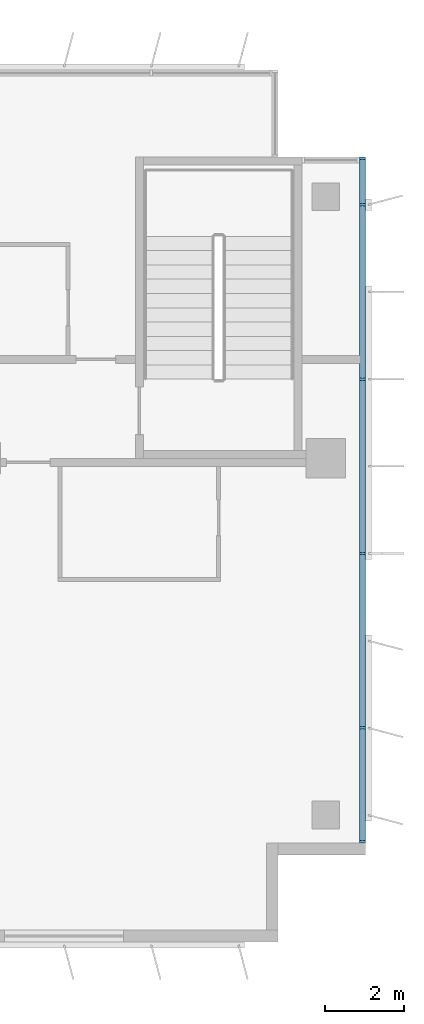
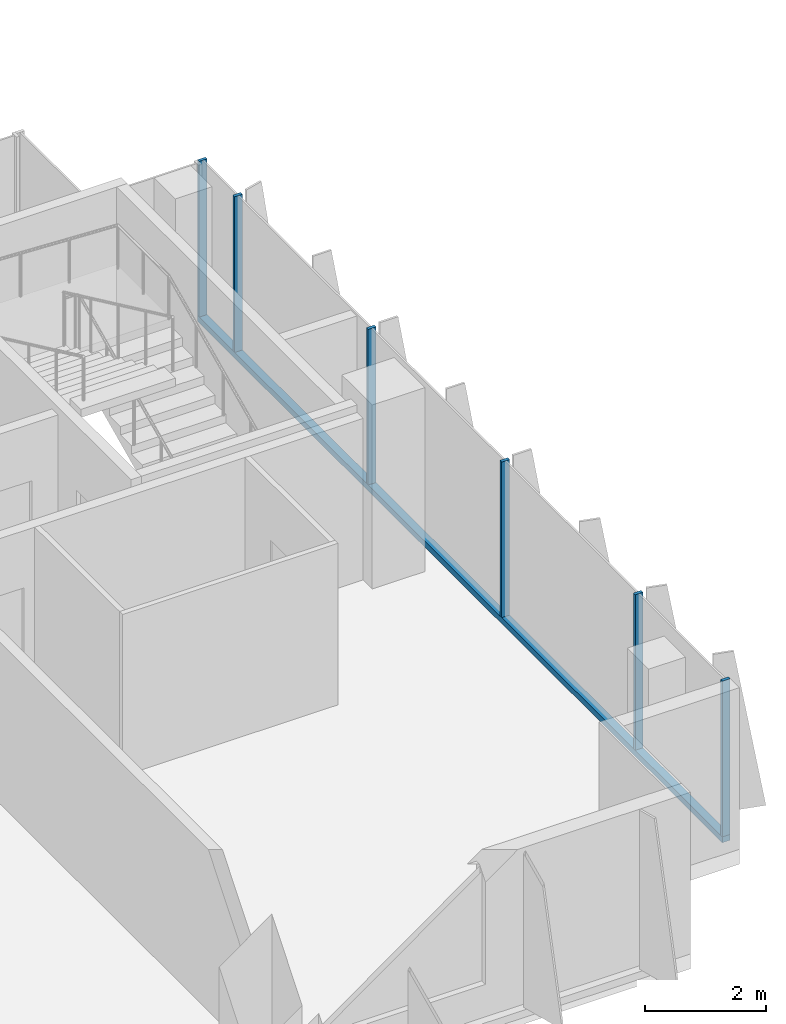
# One storey, part 8 of 21: 7 members, 1 element without a shape of its own.
"""IFC4 building model written with IfcOpenShell, lengths in metres."""

from ifc_helpers import new_model, si_unit, direction, frame, origin, origin_2d, place, context, subcontext, project, spatial, rectangle, extrude, source, transform, mapped, material, material_profile, profile_set, type_object, element, aggregate, save


model = new_model("IFC4")

# Units and contexts
model_context = context("Model", 3, precision=1e-05, world=origin(), true_north=direction((0.0, 1.0)))
body_context = subcontext(model_context, "Body", "Model", "MODEL_VIEW")
ifc_project = project(units=[si_unit("LENGTHUNIT", "METRE"), si_unit("AREAUNIT", "SQUARE_METRE"), si_unit("VOLUMEUNIT", "CUBIC_METRE"), si_unit("PLANEANGLEUNIT", "RADIAN"), si_unit("MASSUNIT", "GRAM", prefix="KILO")], contexts=[model_context])

# Site, building, storey
site_placement = place(None, origin())
site = spatial("IfcSite", under=ifc_project, at=site_placement, CompositionType="ELEMENT")
building_placement = place(site_placement, origin())
building = spatial("IfcBuilding", under=site, at=building_placement, Name="Kemantara Hotel Tower", CompositionType="ELEMENT")
storey_placement = place(building_placement, frame((0.0, 0.0, 219.10009765625)))
storey = spatial("IfcBuildingStorey", under=building, at=storey_placement, Name="L54", CompositionType="ELEMENT", Elevation=219.10009765625)

# Curtain wall, members
ifc_material_1 = material(Name="Low-E tinted double insulated glass 36 mm", Category="glass")
curtain_wall_type = type_object("IfcCurtainWallType", Name="TOWER CURTAIN WALL, FRONT FACES", PredefinedType="USERDEFINED", material=ifc_material_1)
curtain_wall_placement = place(storey_placement, origin())
curtain_wall = element("IfcCurtainWall", 1, at=curtain_wall_placement, inside=storey, type_object=curtain_wall_type, Name="CW4 L54 T3-R11-1", ObjectType="TOWER CURTAIN WALL, FRONT FACES", PredefinedType="USERDEFINED")
ifc_material_2 = material(Name="Aluminium 6063-T6 bronze anodised", Category="aluminium")
ifc_material_profile_1 = material_profile(ifc_material_2, rectangle(XDim=0.14990234375, YDim=0.1201171875, at=origin_2d()), Name="TOWER CURTAIN WALL, FRONT FACES TRANSOM")
ifc_profile_set_1 = profile_set([ifc_material_profile_1], Name="Aluminium 6063-T6 bronze anodised")
member_type_1 = type_object("IfcMemberType", Name="TOWER CURTAIN WALL, FRONT FACES TRANSOM", PredefinedType="USERDEFINED", material=ifc_profile_set_1)
member_1_placement = place(storey_placement, frame((63.52490234375, 2.5, 0.059814453125), z_axis=(0.0, 1.0, 0.0), x_axis=(-1.0, 0.0, 0.0)))
member_1 = element("IfcMember", 2, at=member_1_placement, type_object=member_type_1, Name="CW4 sill transom T3-R11-1", ObjectType="TRANSOM", PredefinedType="USERDEFINED", context=body_context, shape_type="SweptSolid", body=[
    extrude(rectangle(XDim=0.14990234375, YDim=0.1201171875, at=origin_2d()), origin(), (0.0, 0.0, 1.0), 17.300048828125),
])
ifc_material_profile_2 = material_profile(ifc_material_2, rectangle(XDim=0.14990234375, YDim=0.06005859375, at=origin_2d()), Name="TOWER CURTAIN WALL, FRONT FACES MULLION")
ifc_profile_set_2 = profile_set([ifc_material_profile_2], Name="Aluminium 6063-T6 bronze anodised")
member_type_2 = type_object("IfcMemberType", Name="TOWER CURTAIN WALL, FRONT FACES MULLION", PredefinedType="MULLION", material=ifc_profile_set_2)
shared_shape = source(origin(), body_context, "Body", "SweptSolid", [
    extrude(rectangle(XDim=0.14990234375, YDim=0.06005859375, at=origin_2d()), origin(), (0.0, 0.0, 1.0), 3.130126953125),
])
member_2_placement = place(storey_placement, frame((63.52490234375, 2.530029296875, 0.119873046875), z_axis=(0.0, 0.0, 1.0), x_axis=(-1.0, 0.0, 0.0)))
member_2 = element("IfcMember", 3, at=member_2_placement, type_object=member_type_2, Name="CW4 mullion T3-R11-1.1", PredefinedType="MULLION", context=body_context, shape_type="MappedRepresentation", body=[
    mapped(shared_shape, transform((0.0, 0.0, 0.0))),
])
member_3_placement = place(storey_placement, frame((63.52490234375, 5.39990234375, 0.119873046875), z_axis=(0.0, 0.0, 1.0), x_axis=(-1.0, 0.0, 0.0)))
member_3 = element("IfcMember", 4, at=member_3_placement, type_object=member_type_2, Name="CW4 mullion T3-R11-1.2", PredefinedType="MULLION", context=body_context, shape_type="MappedRepresentation", body=[
    mapped(shared_shape, transform((0.0, 0.0, 0.0))),
])
member_4_placement = place(storey_placement, frame((63.52490234375, 9.800048828125, 0.119873046875), z_axis=(0.0, 0.0, 1.0), x_axis=(-1.0, 0.0, 0.0)))
member_4 = element("IfcMember", 5, at=member_4_placement, type_object=member_type_2, Name="CW4 mullion T3-R11-1.3", PredefinedType="MULLION", context=body_context, shape_type="MappedRepresentation", body=[
    mapped(shared_shape, transform((0.0, 0.0, 0.0))),
])
member_5_placement = place(storey_placement, frame((63.52490234375, 14.199951171875, 0.119873046875), z_axis=(0.0, 0.0, 1.0), x_axis=(-1.0, 0.0, 0.0)))
member_5 = element("IfcMember", 6, at=member_5_placement, type_object=member_type_2, Name="CW4 mullion T3-R11-1.4", PredefinedType="MULLION", context=body_context, shape_type="MappedRepresentation", body=[
    mapped(shared_shape, transform((0.0, 0.0, 0.0))),
])
member_6_placement = place(storey_placement, frame((63.52490234375, 18.60009765625, 0.119873046875), z_axis=(0.0, 0.0, 1.0), x_axis=(-1.0, 0.0, 0.0)))
member_6 = element("IfcMember", 7, at=member_6_placement, type_object=member_type_2, Name="CW4 mullion T3-R11-1.5", PredefinedType="MULLION", context=body_context, shape_type="MappedRepresentation", body=[
    mapped(shared_shape, transform((0.0, 0.0, 0.0))),
])
member_7_placement = place(storey_placement, frame((63.52490234375, 19.77001953125, 0.119873046875), z_axis=(0.0, 0.0, 1.0), x_axis=(-1.0, 0.0, 0.0)))
member_7 = element("IfcMember", 8, at=member_7_placement, type_object=member_type_2, Name="CW4 mullion T3-R11-1.6", PredefinedType="MULLION", context=body_context, shape_type="MappedRepresentation", body=[
    mapped(shared_shape, transform((0.0, 0.0, 0.0))),
])
aggregate(curtain_wall, [member_1, member_2, member_3, member_4, member_5, member_6, member_7])

save(model, "model.ifc")
